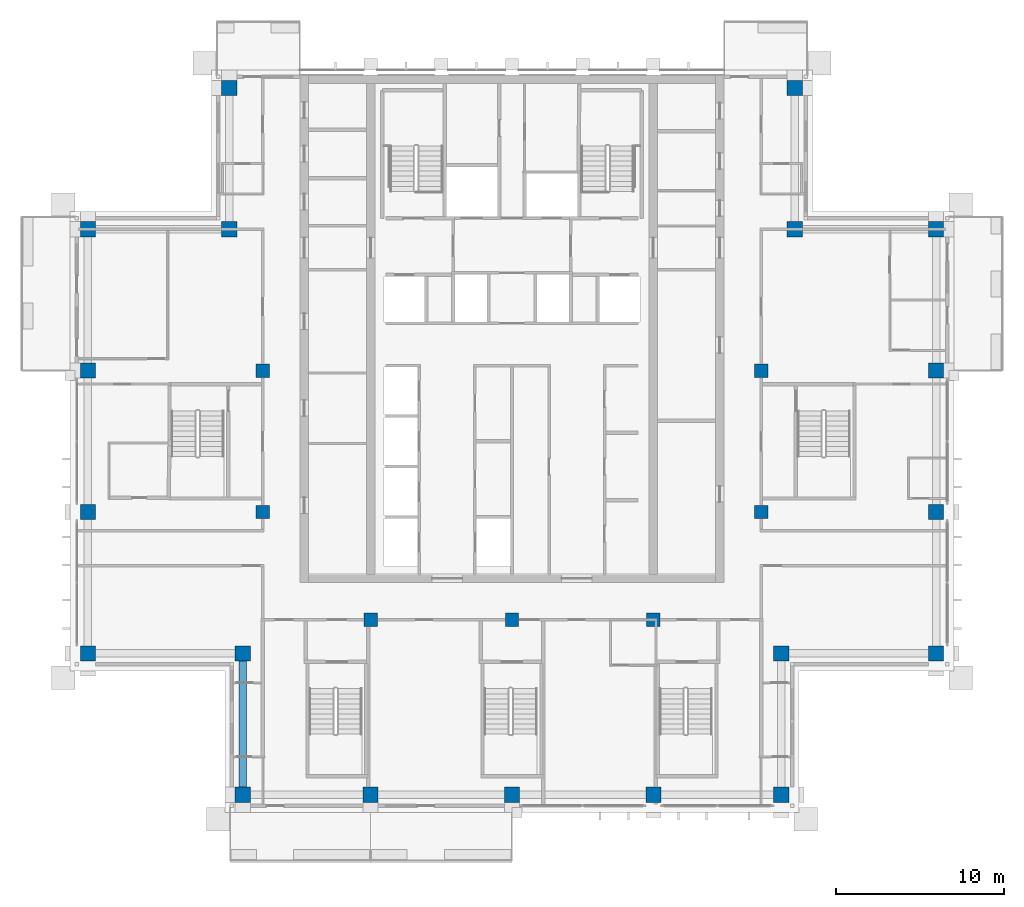
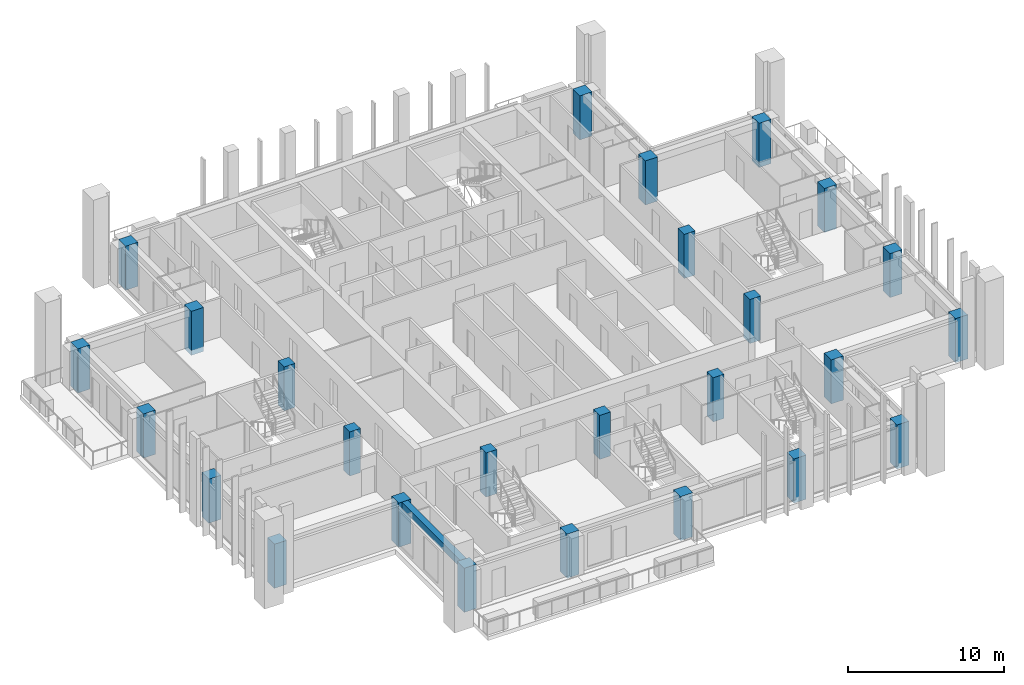
# One storey, part 1 of 16: 26 columns, 1 beam.
"""IFC4 building model written with IfcOpenShell, lengths in metres."""

from ifc_helpers import new_model, si_unit, direction, frame, origin, origin_2d, place, context, subcontext, project, spatial, rectangle, extrude, material, material_profile, profile_set, type_object, element, save


model = new_model("IFC4")

# Units and contexts
model_context = context("Model", 3, precision=1e-05, world=origin(), true_north=direction((0.0, 1.0)))
body_context = subcontext(model_context, "Body", "Model", "MODEL_VIEW")
ifc_project = project(units=[si_unit("LENGTHUNIT", "METRE"), si_unit("AREAUNIT", "SQUARE_METRE"), si_unit("VOLUMEUNIT", "CUBIC_METRE"), si_unit("PLANEANGLEUNIT", "RADIAN"), si_unit("MASSUNIT", "GRAM", prefix="KILO")], contexts=[model_context])

# Site, building, storey
site_placement = place(None, origin())
site = spatial("IfcSite", under=ifc_project, at=site_placement, CompositionType="ELEMENT")
building_placement = place(site_placement, origin())
building = spatial("IfcBuilding", under=site, at=building_placement, Name="Vermilion Ogive Tower", CompositionType="ELEMENT")
storey_placement = place(building_placement, frame((0.0, 0.0, 233.800048828125)))
storey = spatial("IfcBuildingStorey", under=building, at=storey_placement, Name="L61", CompositionType="ELEMENT", Elevation=233.800048828125)

# Columns
ifc_material_1 = material(Name="Concrete B60", Category="concrete")
ifc_material_profile_1 = material_profile(ifc_material_1, rectangle(XDim=0.89990234375, YDim=0.89990234375, at=origin_2d()), Name="900 x 900")
ifc_profile_set_1 = profile_set([ifc_material_profile_1], Name="Concrete B60")
column_type_1 = type_object("IfcColumnType", Name="Perimeter column 900 x 900 B60", PredefinedType="COLUMN", material=ifc_profile_set_1)
for number, where, z_axis, x_axis, name in (
    (1, (-16.0, -21.0, -0.400146484375), (0.0, 0.0, 1.0), (1.0, 0.0, 0.0), "COL-L61-P-0160-210"),
    (2, (-8.39990234375, -21.0, -0.400146484375), (0.0, 0.0, 1.0), (1.0, 0.0, 0.0), "COL-L61-P-0084-210"),
    (3, (0.0, -21.0, -0.400146484375), (0.0, 0.0, 1.0), (1.0, 0.0, 0.0), "COL-L61-P+0000-210"),
    (4, (8.39990234375, -21.0, -0.400146484375), (0.0, 0.0, 1.0), (1.0, 0.0, 0.0), "COL-L61-P+0084-210"),
    (5, (16.0, -21.0, -0.400146484375), (0.0, 0.0, 1.0), (1.0, 0.0, 0.0), "COL-L61-P+0160-210"),
    (6, (-25.199951171875, -12.60009765625, -0.400146484375), (0.0, 0.0, 1.0), (1.0, 0.0, 0.0), "COL-L61-P-0252-126"),
    (7, (-16.0, -12.60009765625, -0.400146484375), (0.0, 0.0, 1.0), (1.0, 0.0, 0.0), "COL-L61-P-0160-126"),
    (8, (16.0, -12.60009765625, -0.400146484375), (0.0, 0.0, 1.0), (1.0, 0.0, 0.0), "COL-L61-P+0160-126"),
    (9, (25.199951171875, -12.60009765625, -0.400146484375), (0.0, 0.0, 1.0), (1.0, 0.0, 0.0), "COL-L61-P+0252-126"),
    (10, (-25.199951171875, -4.199951171875, -0.400146484375), (0.0, 0.0, 1.0), (1.0, 0.0, 0.0), "COL-L61-P-0252-042"),
    (11, (25.199951171875, -4.199951171875, -0.400146484375), (0.0, 0.0, 1.0), (1.0, 0.0, 0.0), "COL-L61-P+0252-042"),
    (12, (-25.199951171875, 4.199951171875, -0.400146484375), (0.0, 0.0, 1.0), (1.0, 0.0, 0.0), "COL-L61-P-0252+042"),
    (13, (25.199951171875, 4.199951171875, -0.400146484375), (0.0, 0.0, 1.0), (1.0, 0.0, 0.0), "COL-L61-P+0252+042"),
    (14, (-25.199951171875, 12.60009765625, -0.400146484375), (0.0, 0.0, 1.0), (1.0, 0.0, 0.0), "COL-L61-P-0252+126"),
    (15, (-16.800048828125, 12.60009765625, -0.400146484375), (0.0, 0.0, 1.0), (1.0, 0.0, 0.0), "COL-L61-P-0168+126"),
    (16, (16.800048828125, 12.60009765625, -0.400146484375), (0.0, 0.0, 1.0), (1.0, 0.0, 0.0), "COL-L61-P+0168+126"),
    (17, (25.199951171875, 12.60009765625, -0.400146484375), (0.0, 0.0, 1.0), (1.0, 0.0, 0.0), "COL-L61-P+0252+126"),
    (18, (-16.800048828125, 21.0, -0.400146484375), (0.0, 0.0, 1.0), (1.0, 0.0, 0.0), "COL-L61-P-0168+210"),
    (19, (16.800048828125, 21.0, -0.400146484375), (0.0, 0.0, 1.0), (1.0, 0.0, 0.0), "COL-L61-P+0168+210"),
):
    element("IfcColumn", number, at=place(storey_placement, frame(where, z_axis=z_axis, x_axis=x_axis)), inside=storey, type_object=column_type_1, Name=name, PredefinedType="COLUMN", context=body_context, shape_type="SweptSolid", body=[
        extrude(rectangle(XDim=0.89990234375, YDim=0.89990234375, at=origin_2d()), origin(), (0.0, 0.0, 1.0), 3.4501953125),
    ])
ifc_material_2 = material(Name="Concrete B60", Category="concrete")
ifc_material_profile_2 = material_profile(ifc_material_2, rectangle(XDim=0.800048828125, YDim=0.800048828125, at=origin_2d()), Name="800 x 800")
ifc_profile_set_2 = profile_set([ifc_material_profile_2], Name="Concrete B60")
column_type_2 = type_object("IfcColumnType", Name="Ring column 800 x 800 B60", PredefinedType="COLUMN", material=ifc_profile_set_2)
for number, where, z_axis, x_axis, name in (
    (20, (-8.39990234375, -10.60009765625, -0.400146484375), (0.0, 0.0, 1.0), (1.0, 0.0, 0.0), "COL-L61-R-0084-106"),
    (21, (0.0, -10.60009765625, -0.400146484375), (0.0, 0.0, 1.0), (1.0, 0.0, 0.0), "COL-L61-R+0000-106"),
    (22, (8.39990234375, -10.60009765625, -0.400146484375), (0.0, 0.0, 1.0), (1.0, 0.0, 0.0), "COL-L61-R+0084-106"),
    (23, (-14.800048828125, -4.199951171875, -0.400146484375), (0.0, 0.0, 1.0), (1.0, 0.0, 0.0), "COL-L61-R-0148-042"),
    (24, (14.800048828125, -4.199951171875, -0.400146484375), (0.0, 0.0, 1.0), (1.0, 0.0, 0.0), "COL-L61-R+0148-042"),
    (25, (-14.800048828125, 4.199951171875, -0.400146484375), (0.0, 0.0, 1.0), (1.0, 0.0, 0.0), "COL-L61-R-0148+042"),
    (26, (14.800048828125, 4.199951171875, -0.400146484375), (0.0, 0.0, 1.0), (1.0, 0.0, 0.0), "COL-L61-R+0148+042"),
):
    element("IfcColumn", number, at=place(storey_placement, frame(where, z_axis=z_axis, x_axis=x_axis)), inside=storey, type_object=column_type_2, Name=name, PredefinedType="COLUMN", context=body_context, shape_type="SweptSolid", body=[
        extrude(rectangle(XDim=0.800048828125, YDim=0.800048828125, at=origin_2d()), origin(), (0.0, 0.0, 1.0), 3.4501953125),
    ])

# Beam
ifc_material_3 = material(Name="Concrete B45", Category="concrete")
ifc_material_profile_3 = material_profile(ifc_material_3, rectangle(XDim=0.449951171875, YDim=0.550048828125, at=origin_2d()), Name="450 x 550")
ifc_profile_set_3 = profile_set([ifc_material_profile_3], Name="Concrete B45")
beam_type = type_object("IfcBeamType", Name="Edge beam 450 x 550 B45", PredefinedType="BEAM", material=ifc_profile_set_3)
beam_placement = place(storey_placement, frame((-16.0, -13.050048828125, 2.77490234375), z_axis=(0.0, -1.0, 0.0), x_axis=(1.0, 0.0, 0.0)))
element("IfcBeam", 27, at=beam_placement, inside=storey, type_object=beam_type, Name="L61-EB-18", PredefinedType="BEAM", context=body_context, shape_type="SweptSolid", body=[
    extrude(rectangle(XDim=0.449951171875, YDim=0.550048828125, at=origin_2d()), origin(), (0.0, 0.0, 1.0), 7.5),
])

save(model, "model.ifc")
